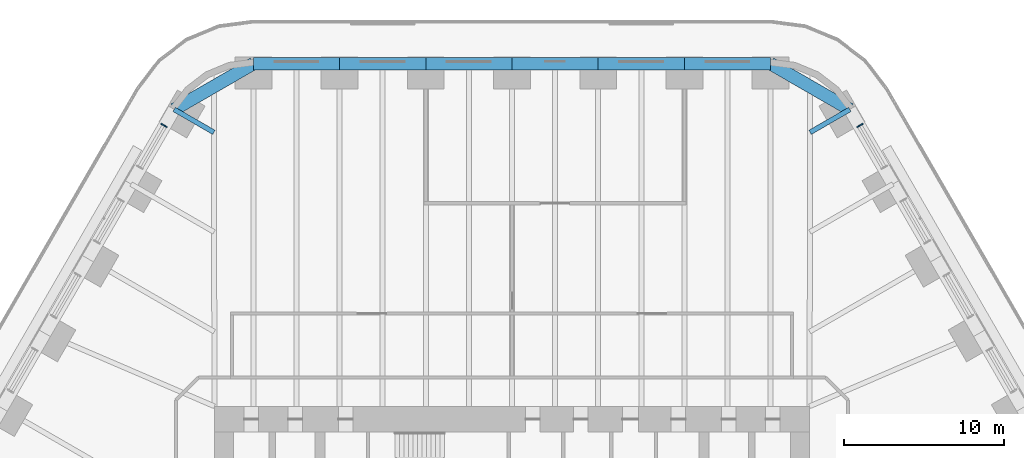
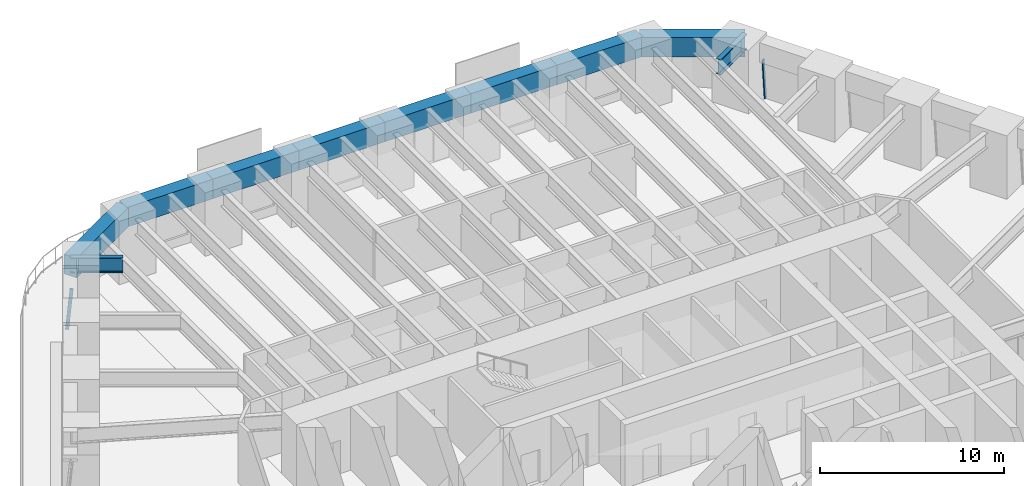
# One storey, part 14 of 23: 10 beams, 2 members, 2 elements without a shape of their own.
"""IFC4 building model written with IfcOpenShell, lengths in metres."""

from ifc_helpers import new_model, si_unit, direction, frame, origin, origin_2d, place, context, subcontext, project, spatial, rectangle, i_section, extrude, material, material_profile, profile_set, type_object, element, aggregate, save


model = new_model("IFC4")

# Units and contexts
model_context = context("Model", 3, precision=1e-05, world=origin(), true_north=direction((0.0, 1.0)))
body_context = subcontext(model_context, "Body", "Model", "MODEL_VIEW")
ifc_project = project(units=[si_unit("LENGTHUNIT", "METRE"), si_unit("AREAUNIT", "SQUARE_METRE"), si_unit("VOLUMEUNIT", "CUBIC_METRE"), si_unit("PLANEANGLEUNIT", "RADIAN"), si_unit("MASSUNIT", "GRAM", prefix="KILO")], contexts=[model_context])

# Site, building, storey
site_placement = place(None, origin())
site = spatial("IfcSite", under=ifc_project, at=site_placement, CompositionType="ELEMENT")
building_placement = place(site_placement, origin())
building = spatial("IfcBuilding", under=site, at=building_placement, Name="Tarfa Lantern Tower", CompositionType="ELEMENT")
storey_placement = place(building_placement, frame((0.0, 0.0, 31.89990234375)))
storey = spatial("IfcBuildingStorey", under=building, at=storey_placement, Name="L06", CompositionType="ELEMENT", Elevation=31.89990234375)

# Curtain wall, member
ifc_material_1 = material(Name="Aluminium framed curtain wall", Category="aluminium")
curtain_wall_type = type_object("IfcCurtainWallType", Name="CW1 CANTED GLAZING LOW ZONE 2700", PredefinedType="USERDEFINED", material=ifc_material_1)
curtain_wall_1_placement = place(storey_placement, origin())
curtain_wall_1 = element("IfcCurtainWall", 1, at=curtain_wall_1_placement, inside=storey, type_object=curtain_wall_type, Name="CW1 NE L06", ObjectType="CURTAIN WALL", PredefinedType="USERDEFINED")
ifc_material_2 = material(Name="Aluminium mullion", Category="aluminium")
ifc_material_profile_1 = material_profile(ifc_material_2, rectangle(XDim=0.06494140625, YDim=0.199951171875, at=origin_2d()), Name="AL MULLION 65x200")
ifc_profile_set_1 = profile_set([ifc_material_profile_1], Name="Aluminium mullion")
member_type = type_object("IfcMemberType", Name="CWM1 MULLION 65x200", PredefinedType="MULLION", material=ifc_profile_set_1)
member_1_placement = place(storey_placement, frame((21.86669921875, 29.926025390625, 0.0), z_axis=(-0.079857261722, -0.046095736191, 0.995739926314), x_axis=(0.499919672301, -0.866071776036, 0.0)))
member_1 = element("IfcMember", 2, at=member_1_placement, type_object=member_type, Name="CW1 mullion 2", PredefinedType="MULLION", context=body_context, shape_type="SweptSolid", body=[
    extrude(rectangle(XDim=0.06494140625, YDim=0.199951171875, at=origin_2d()), origin(), (0.0, 0.0, 1.0), 2.711669921875),
])
aggregate(curtain_wall_1, [member_1])

curtain_wall_2_placement = place(storey_placement, origin())
curtain_wall_2 = element("IfcCurtainWall", 3, at=curtain_wall_2_placement, inside=storey, type_object=curtain_wall_type, Name="CW1 NW L06", ObjectType="CURTAIN WALL", PredefinedType="USERDEFINED")
member_2_placement = place(storey_placement, frame((-21.86669921875, 29.926025390625, 0.0), z_axis=(0.079857261722, -0.046095736191, 0.995739926314), x_axis=(0.499919672301, 0.866071776036, 0.0)))
member_2 = element("IfcMember", 4, at=member_2_placement, type_object=member_type, Name="CW1 mullion 1", PredefinedType="MULLION", context=body_context, shape_type="SweptSolid", body=[
    extrude(rectangle(XDim=0.06494140625, YDim=0.199951171875, at=origin_2d()), origin(), (0.0, 0.0, 1.0), 2.711669921875),
])
aggregate(curtain_wall_2, [member_2])

# Beams
ifc_material_3 = material(Name="Concrete C80/95", Category="concrete")
ifc_material_profile_2 = material_profile(ifc_material_3, rectangle(XDim=0.800048828125, YDim=1.300048828125, at=origin_2d()), Name="RC 800x1300")
ifc_profile_set_2 = profile_set([ifc_material_profile_2], Name="Concrete C80/95")
beam_type_1 = type_object("IfcBeamType", Name="EB1 RC 800x1300", PredefinedType="SPANDREL", material=ifc_profile_set_2)
beam_1_placement = place(storey_placement, frame((21.119384765625, 30.860107421875, 3.35009765625), z_axis=(-0.866033479681, 0.499986011877, 0.0), x_axis=(-0.499986011877, -0.866033479681, 0.0)))
element("IfcBeam", 5, at=beam_1_placement, inside=storey, type_object=beam_type_1, Name="Edge beam NE6", PredefinedType="SPANDREL", context=body_context, shape_type="SweptSolid", body=[
    extrude(rectangle(XDim=0.800048828125, YDim=1.300048828125, at=origin_2d()), origin(), (0.0, 0.0, 1.0), 5.719970703125),
])
beam_2_placement = place(storey_placement, frame((16.165771484375, 33.719970703125, 3.35009765625), z_axis=(-1.0, 0.0, 0.0), x_axis=(0.0, -1.0, 0.0)))
element("IfcBeam", 6, at=beam_2_placement, inside=storey, type_object=beam_type_1, Name="Edge beam N0", PredefinedType="SPANDREL", context=body_context, shape_type="SweptSolid", body=[
    extrude(rectangle(XDim=0.800048828125, YDim=1.300048828125, at=origin_2d()), origin(), (0.0, 0.0, 1.0), 5.388671875),
])
beam_3_placement = place(storey_placement, frame((10.777099609375, 33.719970703125, 3.35009765625), z_axis=(-1.0, 0.0, 0.0), x_axis=(0.0, -1.0, 0.0)))
element("IfcBeam", 7, at=beam_3_placement, inside=storey, type_object=beam_type_1, Name="Edge beam N1", PredefinedType="SPANDREL", context=body_context, shape_type="SweptSolid", body=[
    extrude(rectangle(XDim=0.800048828125, YDim=1.300048828125, at=origin_2d()), origin(), (0.0, 0.0, 1.0), 5.388427734375),
])
for number, where, z_axis, x_axis, name in (
    (8, (5.388671875, 33.719970703125, 3.35009765625), (-1.0, 0.0, 0.0), (0.0, -1.0, 0.0), "Edge beam N2"),
    (9, (0.0, 33.719970703125, 3.35009765625), (-1.0, 0.0, 0.0), (0.0, -1.0, 0.0), "Edge beam N3"),
):
    element("IfcBeam", number, at=place(storey_placement, frame(where, z_axis=z_axis, x_axis=x_axis)), inside=storey, type_object=beam_type_1, Name=name, PredefinedType="SPANDREL", context=body_context, shape_type="SweptSolid", body=[
        extrude(rectangle(XDim=0.800048828125, YDim=1.300048828125, at=origin_2d()), origin(), (0.0, 0.0, 1.0), 5.388671875),
    ])
beam_4_placement = place(storey_placement, frame((-5.388671875, 33.719970703125, 3.35009765625), z_axis=(-1.0, 0.0, 0.0), x_axis=(0.0, -1.0, 0.0)))
element("IfcBeam", 10, at=beam_4_placement, inside=storey, type_object=beam_type_1, Name="Edge beam N4", PredefinedType="SPANDREL", context=body_context, shape_type="SweptSolid", body=[
    extrude(rectangle(XDim=0.800048828125, YDim=1.300048828125, at=origin_2d()), origin(), (0.0, 0.0, 1.0), 5.388427734375),
])
beam_5_placement = place(storey_placement, frame((-10.777099609375, 33.719970703125, 3.35009765625), z_axis=(-1.0, 0.0, 0.0), x_axis=(0.0, -1.0, 0.0)))
element("IfcBeam", 11, at=beam_5_placement, inside=storey, type_object=beam_type_1, Name="Edge beam N5", PredefinedType="SPANDREL", context=body_context, shape_type="SweptSolid", body=[
    extrude(rectangle(XDim=0.800048828125, YDim=1.300048828125, at=origin_2d()), origin(), (0.0, 0.0, 1.0), 5.388671875),
])
beam_6_placement = place(storey_placement, frame((-16.165771484375, 33.719970703125, 3.35009765625), z_axis=(-0.866033479681, -0.499986011877, 0.0), x_axis=(0.499986011877, -0.866033479681, 0.0)))
element("IfcBeam", 12, at=beam_6_placement, inside=storey, type_object=beam_type_1, Name="Edge beam N6", PredefinedType="SPANDREL", context=body_context, shape_type="SweptSolid", body=[
    extrude(rectangle(XDim=0.800048828125, YDim=1.300048828125, at=origin_2d()), origin(), (0.0, 0.0, 1.0), 5.719970703125),
])
ifc_material_4 = material(Name="Steel S460M", Category="steel")
ifc_material_profile_3 = material_profile(ifc_material_4, i_section(OverallWidth=0.302001953125, OverallDepth=1.008056640625, WebThickness=0.02099609375, FlangeThickness=0.0400390625, FilletRadius=0.030029296875, at=origin_2d()), Name="UB1016x305x349")
ifc_profile_set_3 = profile_set([ifc_material_profile_3], Name="Steel S460M")
beam_type_2 = type_object("IfcBeamType", Name="UB1016x305x349", PredefinedType="BEAM", material=ifc_profile_set_3)
for number, where, z_axis, x_axis, name in (
    (13, (21.119384765625, 30.860107421875, 3.49609375), (-0.866012580594, -0.500022209759, 0.0), (0.500022209759, -0.866012580594, 0.0), "Floor beam NE6"),
    (14, (-21.119384765625, 30.860107421875, 3.49609375), (0.866012580594, -0.500022209759, 0.0), (0.500022209759, 0.866012580594, 0.0), "Floor beam NW0"),
):
    element("IfcBeam", number, at=place(storey_placement, frame(where, z_axis=z_axis, x_axis=x_axis)), inside=storey, type_object=beam_type_2, Name=name, PredefinedType="BEAM", context=body_context, shape_type="SweptSolid", body=[
        extrude(i_section(OverallWidth=0.302001953125, OverallDepth=1.008056640625, WebThickness=0.02099609375, FlangeThickness=0.0400390625, FilletRadius=0.030029296875, at=origin_2d()), origin(), (0.0, 0.0, 1.0), 2.866943359375),
    ])

save(model, "model.ifc")
